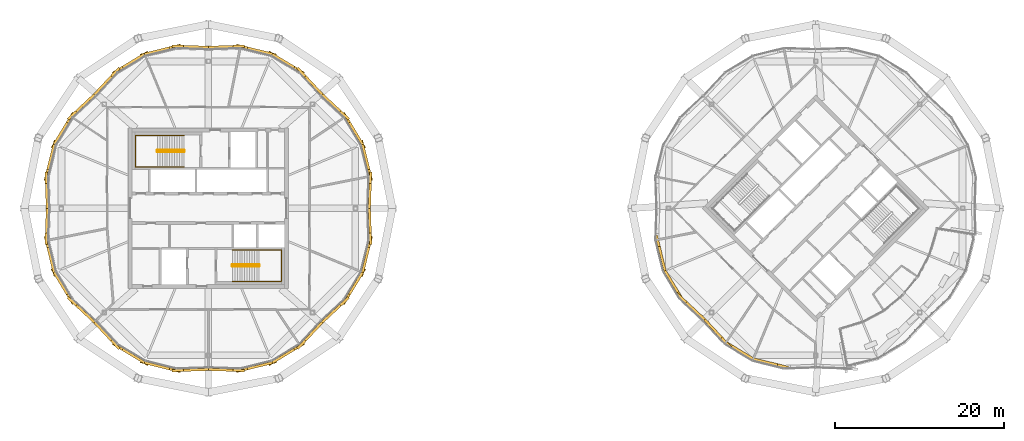
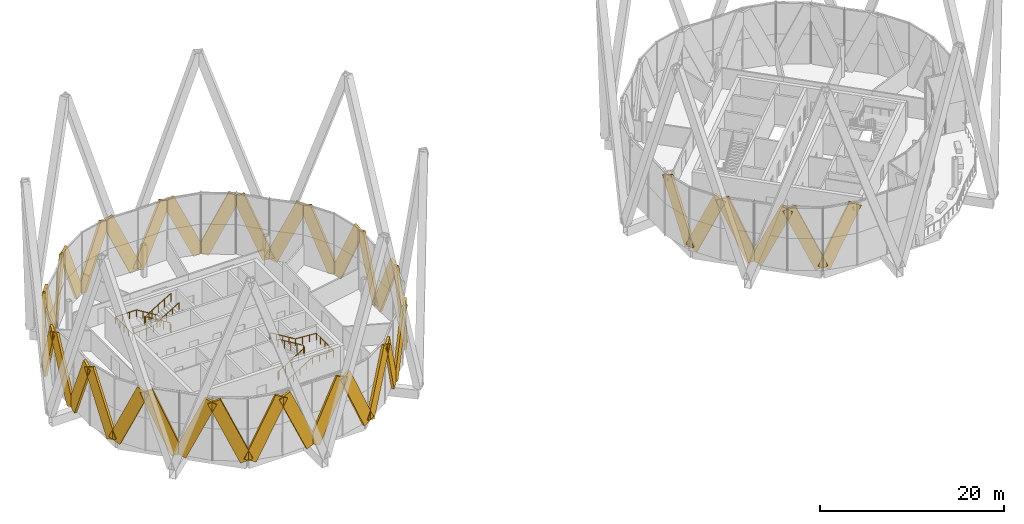
# One storey, part 36 of 38: 38 coverings, 4 railings.
"""IFC4 building model written with IfcOpenShell, lengths in metres."""

from ifc_helpers import new_model, si_unit, direction, frame, origin, origin_2d, place, context, subcontext, project, spatial, rectangle, circle, extrude, material, material_profile, profile_set, type_object, element, save


model = new_model("IFC4")

# Units and contexts
model_context = context("Model", 3, precision=1e-05, world=origin(), true_north=direction((0.0, 1.0)))
body_context = subcontext(model_context, "Body", "Model", "MODEL_VIEW")
ifc_project = project(units=[si_unit("LENGTHUNIT", "METRE"), si_unit("AREAUNIT", "SQUARE_METRE"), si_unit("VOLUMEUNIT", "CUBIC_METRE"), si_unit("PLANEANGLEUNIT", "RADIAN"), si_unit("MASSUNIT", "GRAM", prefix="KILO")], contexts=[model_context])

# Site, building, storey
site_placement = place(None, origin())
site = spatial("IfcSite", under=ifc_project, at=site_placement, CompositionType="ELEMENT")
building_placement = place(site_placement, origin())
building = spatial("IfcBuilding", under=site, at=building_placement, Name="Ogive Gate Towers", CompositionType="ELEMENT")
storey_placement = place(building_placement, frame((0.0, 0.0, 268.800048828125)))
storey = spatial("IfcBuildingStorey", under=building, at=storey_placement, Name="L63", CompositionType="ELEMENT", Elevation=268.800048828125)

# Coverings
ifc_material_1 = material(Name="Pale metal aluminium", Category="aluminium")
ifc_material_profile = material_profile(ifc_material_1, rectangle(XDim=0.300048828125, YDim=1.5, at=origin_2d()), Name="1500 x 300 pale metal aluminium")
ifc_profile_set = profile_set([ifc_material_profile], Name="Pale metal aluminium")
covering_type = type_object("IfcCoveringType", Name="Facade fin 1500 x 300", PredefinedType="CLADDING", material=ifc_profile_set)
covering_1_placement = place(storey_placement, frame((-16.9052734375, 0.1298828125, -0.04296875), z_axis=(0.014132103732, 0.409230250787, 0.912321700654), x_axis=(-0.999404255625, 0.03451280687, 0.0)))
element("IfcCovering", 1, at=covering_1_placement, inside=storey, type_object=covering_type, Name="Facade fin", PredefinedType="CLADDING", context=body_context, shape_type="SweptSolid", body=[
    extrude(rectangle(XDim=0.300048828125, YDim=1.5, at=origin_2d()), origin(), (0.0, 0.0, 1.0), 8.5341796875),
])
covering_2_placement = place(storey_placement, frame((-17.670654296875, 7.403076171875, -0.0390625), z_axis=(0.099478826695, -0.402713596441, 0.909904237973), x_axis=(0.970819106238, 0.239812974967, 0.0)))
element("IfcCovering", 2, at=covering_2_placement, inside=storey, type_object=covering_type, Name="Facade fin", PredefinedType="CLADDING", context=body_context, shape_type="SweptSolid", body=[
    extrude(rectangle(XDim=0.300048828125, YDim=1.5, at=origin_2d()), origin(), (0.0, 0.0, 1.0), 8.5478515625),
])
covering_3_placement = place(storey_placement, frame((-17.80419921875, 7.72607421875, -0.0390625), z_axis=(-0.214437127, 0.355100799146, 0.909901171012), x_axis=(-0.856025355969, -0.516933835165, 0.0)))
element("IfcCovering", 3, at=covering_3_placement, inside=storey, type_object=covering_type, Name="Facade fin", PredefinedType="CLADDING", context=body_context, shape_type="SweptSolid", body=[
    extrude(rectangle(XDim=0.300048828125, YDim=1.5, at=origin_2d()), origin(), (0.0, 0.0, 1.0), 8.548095703125),
])
for number, where, z_axis, x_axis, name in (
    (4, (-22.40625, 13.41015625, -0.04296875), (0.299378148012, -0.279352853831, 0.912323795343), (0.682231121779, 0.731136578538, 0.0), "Facade fin"),
    (5, (-22.58984375, 13.59375, -0.04296875), (-0.279352853831, 0.299378148012, 0.912323795343), (-0.731136578538, -0.682231121779, 0.0), "Facade fin"),
):
    element("IfcCovering", number, at=place(storey_placement, frame(where, z_axis=z_axis, x_axis=x_axis)), inside=storey, type_object=covering_type, Name=name, PredefinedType="CLADDING", context=body_context, shape_type="SweptSolid", body=[
        extrude(rectangle(XDim=0.300048828125, YDim=1.5, at=origin_2d()), origin(), (0.0, 0.0, 1.0), 8.5341796875),
    ])
covering_4_placement = place(storey_placement, frame((-28.27392578125, 18.19580078125, -0.0390625), z_axis=(0.355100799146, -0.214437127, 0.909901171012), x_axis=(0.516933835165, 0.856025355969, 0.0)))
element("IfcCovering", 6, at=covering_4_placement, inside=storey, type_object=covering_type, Name="Facade fin", PredefinedType="CLADDING", context=body_context, shape_type="SweptSolid", body=[
    extrude(rectangle(XDim=0.300048828125, YDim=1.5, at=origin_2d()), origin(), (0.0, 0.0, 1.0), 8.548095703125),
])
covering_5_placement = place(storey_placement, frame((-28.596923828125, 18.329345703125, -0.0390625), z_axis=(-0.402713596441, 0.099478826695, 0.909904237973), x_axis=(-0.239812974967, -0.970819106238, 0.0)))
element("IfcCovering", 7, at=covering_5_placement, inside=storey, type_object=covering_type, Name="Facade fin", PredefinedType="CLADDING", context=body_context, shape_type="SweptSolid", body=[
    extrude(rectangle(XDim=0.300048828125, YDim=1.5, at=origin_2d()), origin(), (0.0, 0.0, 1.0), 8.5478515625),
])
for number, where, z_axis, x_axis, name in (
    (8, (-35.8701171875, 19.0947265625, -0.04296875), (0.409230250787, 0.014132103732, 0.912321700654), (-0.03451280687, 0.999404255625, 0.0), "Facade fin"),
    (9, (-36.1298828125, 19.0947265625, -0.04296875), (-0.409230250787, 0.014132103732, 0.912321700654), (-0.03451280687, -0.999404255625, 0.0), "Facade fin"),
):
    element("IfcCovering", number, at=place(storey_placement, frame(where, z_axis=z_axis, x_axis=x_axis)), inside=storey, type_object=covering_type, Name=name, PredefinedType="CLADDING", context=body_context, shape_type="SweptSolid", body=[
        extrude(rectangle(XDim=0.300048828125, YDim=1.5, at=origin_2d()), origin(), (0.0, 0.0, 1.0), 8.5341796875),
    ])
covering_6_placement = place(storey_placement, frame((-43.403076171875, 18.329345703125, -0.0390625), z_axis=(0.402713596441, 0.099478826695, 0.909904237973), x_axis=(-0.239812974967, 0.970819106238, 0.0)))
element("IfcCovering", 10, at=covering_6_placement, inside=storey, type_object=covering_type, Name="Facade fin", PredefinedType="CLADDING", context=body_context, shape_type="SweptSolid", body=[
    extrude(rectangle(XDim=0.300048828125, YDim=1.5, at=origin_2d()), origin(), (0.0, 0.0, 1.0), 8.5478515625),
])
covering_7_placement = place(storey_placement, frame((-43.72607421875, 18.19580078125, -0.0390625), z_axis=(-0.355100799146, -0.214437127, 0.909901171012), x_axis=(0.516933835165, -0.856025355969, 0.0)))
element("IfcCovering", 11, at=covering_7_placement, inside=storey, type_object=covering_type, Name="Facade fin", PredefinedType="CLADDING", context=body_context, shape_type="SweptSolid", body=[
    extrude(rectangle(XDim=0.300048828125, YDim=1.5, at=origin_2d()), origin(), (0.0, 0.0, 1.0), 8.548095703125),
])
for number, where, z_axis, x_axis, name in (
    (12, (-49.41015625, 13.59375, -0.04296875), (0.279352853831, 0.299378148012, 0.912323795343), (-0.731136578538, 0.682231121779, 0.0), "Facade fin"),
    (13, (-49.59375, 13.41015625, -0.04296875), (-0.299378148012, -0.279352853831, 0.912323795343), (0.682231121779, -0.731136578538, 0.0), "Facade fin"),
):
    element("IfcCovering", number, at=place(storey_placement, frame(where, z_axis=z_axis, x_axis=x_axis)), inside=storey, type_object=covering_type, Name=name, PredefinedType="CLADDING", context=body_context, shape_type="SweptSolid", body=[
        extrude(rectangle(XDim=0.300048828125, YDim=1.5, at=origin_2d()), origin(), (0.0, 0.0, 1.0), 8.5341796875),
    ])
covering_8_placement = place(storey_placement, frame((-54.19580078125, 7.72607421875, -0.0390625), z_axis=(0.214437127, 0.355100799146, 0.909901171012), x_axis=(-0.856025355969, 0.516933835165, 0.0)))
element("IfcCovering", 14, at=covering_8_placement, inside=storey, type_object=covering_type, Name="Facade fin", PredefinedType="CLADDING", context=body_context, shape_type="SweptSolid", body=[
    extrude(rectangle(XDim=0.300048828125, YDim=1.5, at=origin_2d()), origin(), (0.0, 0.0, 1.0), 8.548095703125),
])
covering_9_placement = place(storey_placement, frame((-54.329345703125, 7.403076171875, -0.0390625), z_axis=(-0.099478826695, -0.402713596441, 0.909904237973), x_axis=(0.970819106238, -0.239812974967, 0.0)))
element("IfcCovering", 15, at=covering_9_placement, inside=storey, type_object=covering_type, Name="Facade fin", PredefinedType="CLADDING", context=body_context, shape_type="SweptSolid", body=[
    extrude(rectangle(XDim=0.300048828125, YDim=1.5, at=origin_2d()), origin(), (0.0, 0.0, 1.0), 8.5478515625),
])
for number, where, z_axis, x_axis, name in (
    (16, (-55.0947265625, 0.1298828125, -0.04296875), (-0.014132103732, 0.409230250787, 0.912321700654), (-0.999404255625, -0.03451280687, 0.0), "Facade fin"),
    (17, (-55.0947265625, -0.1298828125, -0.04296875), (-0.014132103732, -0.409230250787, 0.912321700654), (0.999404255625, -0.03451280687, 0.0), "Facade fin"),
):
    element("IfcCovering", number, at=place(storey_placement, frame(where, z_axis=z_axis, x_axis=x_axis)), inside=storey, type_object=covering_type, Name=name, PredefinedType="CLADDING", context=body_context, shape_type="SweptSolid", body=[
        extrude(rectangle(XDim=0.300048828125, YDim=1.5, at=origin_2d()), origin(), (0.0, 0.0, 1.0), 8.5341796875),
    ])
covering_10_placement = place(storey_placement, frame((-54.329345703125, -7.403076171875, -0.0390625), z_axis=(-0.099478826695, 0.402713596441, 0.909904237973), x_axis=(-0.970819106238, -0.239812974967, 0.0)))
element("IfcCovering", 18, at=covering_10_placement, inside=storey, type_object=covering_type, Name="Facade fin", PredefinedType="CLADDING", context=body_context, shape_type="SweptSolid", body=[
    extrude(rectangle(XDim=0.300048828125, YDim=1.5, at=origin_2d()), origin(), (0.0, 0.0, 1.0), 8.5478515625),
])
covering_11_placement = place(storey_placement, frame((-54.19580078125, -7.72607421875, -0.0390625), z_axis=(0.214437127, -0.355100799146, 0.909901171012), x_axis=(0.856025355969, 0.516933835165, 0.0)))
element("IfcCovering", 19, at=covering_11_placement, inside=storey, type_object=covering_type, Name="Facade fin", PredefinedType="CLADDING", context=body_context, shape_type="SweptSolid", body=[
    extrude(rectangle(XDim=0.300048828125, YDim=1.5, at=origin_2d()), origin(), (0.0, 0.0, 1.0), 8.548095703125),
])
for number, where, z_axis, x_axis, name in (
    (20, (-49.59375, -13.41015625, -0.04296875), (-0.299378148012, 0.279352853831, 0.912323795343), (-0.682231121779, -0.731136578538, 0.0), "Facade fin"),
    (21, (-49.41015625, -13.59375, -0.04296875), (0.279352853831, -0.299378148012, 0.912323795343), (0.731136578538, 0.682231121779, 0.0), "Facade fin"),
):
    element("IfcCovering", number, at=place(storey_placement, frame(where, z_axis=z_axis, x_axis=x_axis)), inside=storey, type_object=covering_type, Name=name, PredefinedType="CLADDING", context=body_context, shape_type="SweptSolid", body=[
        extrude(rectangle(XDim=0.300048828125, YDim=1.5, at=origin_2d()), origin(), (0.0, 0.0, 1.0), 8.5341796875),
    ])
covering_12_placement = place(storey_placement, frame((-43.72607421875, -18.19580078125, -0.0390625), z_axis=(-0.355100799146, 0.214437127, 0.909901171012), x_axis=(-0.516933835165, -0.856025355969, 0.0)))
element("IfcCovering", 22, at=covering_12_placement, inside=storey, type_object=covering_type, Name="Facade fin", PredefinedType="CLADDING", context=body_context, shape_type="SweptSolid", body=[
    extrude(rectangle(XDim=0.300048828125, YDim=1.5, at=origin_2d()), origin(), (0.0, 0.0, 1.0), 8.548095703125),
])
covering_13_placement = place(storey_placement, frame((-43.403076171875, -18.329345703125, -0.0390625), z_axis=(0.402713596441, -0.099478826695, 0.909904237973), x_axis=(0.239812974967, 0.970819106238, 0.0)))
element("IfcCovering", 23, at=covering_13_placement, inside=storey, type_object=covering_type, Name="Facade fin", PredefinedType="CLADDING", context=body_context, shape_type="SweptSolid", body=[
    extrude(rectangle(XDim=0.300048828125, YDim=1.5, at=origin_2d()), origin(), (0.0, 0.0, 1.0), 8.5478515625),
])
for number, where, z_axis, x_axis, name in (
    (24, (-36.1298828125, -19.0947265625, -0.04296875), (-0.409230250787, -0.014132103732, 0.912321700654), (0.03451280687, -0.999404255625, 0.0), "Facade fin"),
    (25, (-35.8701171875, -19.0947265625, -0.04296875), (0.409230250787, -0.014132103732, 0.912321700654), (0.03451280687, 0.999404255625, 0.0), "Facade fin"),
):
    element("IfcCovering", number, at=place(storey_placement, frame(where, z_axis=z_axis, x_axis=x_axis)), inside=storey, type_object=covering_type, Name=name, PredefinedType="CLADDING", context=body_context, shape_type="SweptSolid", body=[
        extrude(rectangle(XDim=0.300048828125, YDim=1.5, at=origin_2d()), origin(), (0.0, 0.0, 1.0), 8.5341796875),
    ])
covering_14_placement = place(storey_placement, frame((-28.596923828125, -18.329345703125, -0.0390625), z_axis=(-0.402713596441, -0.099478826695, 0.909904237973), x_axis=(0.239812974967, -0.970819106238, 0.0)))
element("IfcCovering", 26, at=covering_14_placement, inside=storey, type_object=covering_type, Name="Facade fin", PredefinedType="CLADDING", context=body_context, shape_type="SweptSolid", body=[
    extrude(rectangle(XDim=0.300048828125, YDim=1.5, at=origin_2d()), origin(), (0.0, 0.0, 1.0), 8.5478515625),
])
covering_15_placement = place(storey_placement, frame((-28.27392578125, -18.19580078125, -0.0390625), z_axis=(0.355100799146, 0.214437127, 0.909901171012), x_axis=(-0.516933835165, 0.856025355969, 0.0)))
element("IfcCovering", 27, at=covering_15_placement, inside=storey, type_object=covering_type, Name="Facade fin", PredefinedType="CLADDING", context=body_context, shape_type="SweptSolid", body=[
    extrude(rectangle(XDim=0.300048828125, YDim=1.5, at=origin_2d()), origin(), (0.0, 0.0, 1.0), 8.548095703125),
])
for number, where, z_axis, x_axis, name in (
    (28, (-22.58984375, -13.59375, -0.04296875), (-0.279352853831, -0.299378148012, 0.912323795343), (0.731136578538, -0.682231121779, 0.0), "Facade fin"),
    (29, (-22.40625, -13.41015625, -0.04296875), (0.299378148012, 0.279352853831, 0.912323795343), (-0.682231121779, 0.731136578538, 0.0), "Facade fin"),
):
    element("IfcCovering", number, at=place(storey_placement, frame(where, z_axis=z_axis, x_axis=x_axis)), inside=storey, type_object=covering_type, Name=name, PredefinedType="CLADDING", context=body_context, shape_type="SweptSolid", body=[
        extrude(rectangle(XDim=0.300048828125, YDim=1.5, at=origin_2d()), origin(), (0.0, 0.0, 1.0), 8.5341796875),
    ])
covering_16_placement = place(storey_placement, frame((-17.80419921875, -7.72607421875, -0.0390625), z_axis=(-0.214437127, -0.355100799146, 0.909901171012), x_axis=(0.856025355969, -0.516933835165, 0.0)))
element("IfcCovering", 30, at=covering_16_placement, inside=storey, type_object=covering_type, Name="Facade fin", PredefinedType="CLADDING", context=body_context, shape_type="SweptSolid", body=[
    extrude(rectangle(XDim=0.300048828125, YDim=1.5, at=origin_2d()), origin(), (0.0, 0.0, 1.0), 8.548095703125),
])
covering_17_placement = place(storey_placement, frame((-17.670654296875, -7.403076171875, -0.0390625), z_axis=(0.099478826695, 0.402713596441, 0.909904237973), x_axis=(-0.970819106238, 0.239812974967, 0.0)))
element("IfcCovering", 31, at=covering_17_placement, inside=storey, type_object=covering_type, Name="Facade fin", PredefinedType="CLADDING", context=body_context, shape_type="SweptSolid", body=[
    extrude(rectangle(XDim=0.300048828125, YDim=1.5, at=origin_2d()), origin(), (0.0, 0.0, 1.0), 8.5478515625),
])
for number, where, z_axis, x_axis, name in (
    (32, (-16.9052734375, -0.1298828125, -0.04296875), (0.014132103732, -0.409230250787, 0.912321700654), (0.999404255625, 0.03451280687, 0.0), "Facade fin"),
    (33, (22.719970703125, -13.073974609375, -0.04296875), (-0.299349711694, 0.279381621216, 0.912324317244), (-0.682303314669, -0.731069207936, 0.0), "Facade fin"),
):
    element("IfcCovering", number, at=place(storey_placement, frame(where, z_axis=z_axis, x_axis=x_axis)), inside=storey, type_object=covering_type, Name=name, PredefinedType="CLADDING", context=body_context, shape_type="SweptSolid", body=[
        extrude(rectangle(XDim=0.300048828125, YDim=1.5, at=origin_2d()), origin(), (0.0, 0.0, 1.0), 8.5341796875),
    ])
covering_18_placement = place(storey_placement, frame((18.197998046875, -7.48828125, -0.0390625), z_axis=(0.214437127, -0.355100799146, 0.909901171012), x_axis=(0.856025355969, 0.516933835165, 0.0)))
element("IfcCovering", 34, at=covering_18_placement, inside=storey, type_object=covering_type, Name="Facade fin", PredefinedType="CLADDING", context=body_context, shape_type="SweptSolid", body=[
    extrude(rectangle(XDim=0.300048828125, YDim=1.5, at=origin_2d()), origin(), (0.0, 0.0, 1.0), 8.548095703125),
])
for number, where, z_axis, x_axis, name in (
    (35, (18.1171875, -7.29296875, -0.0390625), (-0.09945054797, 0.402714740487, 0.909906822869), (-0.970835134211, -0.239748080661, 0.0), "Facade fin"),
    (36, (28.70703125, -17.8828125, -0.0390625), (0.402714740487, -0.09945054797, 0.909906822869), (0.239748080661, 0.970835134211, 0.0), "Facade fin"),
):
    element("IfcCovering", number, at=place(storey_placement, frame(where, z_axis=z_axis, x_axis=x_axis)), inside=storey, type_object=covering_type, Name=name, PredefinedType="CLADDING", context=body_context, shape_type="SweptSolid", body=[
        extrude(rectangle(XDim=0.300048828125, YDim=1.5, at=origin_2d()), origin(), (0.0, 0.0, 1.0), 8.5478515625),
    ])
covering_19_placement = place(storey_placement, frame((28.51171875, -17.802001953125, -0.0390625), z_axis=(-0.355100799146, 0.214437127, 0.909901171012), x_axis=(-0.516933835165, -0.856025355969, 0.0)))
element("IfcCovering", 37, at=covering_19_placement, inside=storey, type_object=covering_type, Name="Facade fin", PredefinedType="CLADDING", context=body_context, shape_type="SweptSolid", body=[
    extrude(rectangle(XDim=0.300048828125, YDim=1.5, at=origin_2d()), origin(), (0.0, 0.0, 1.0), 8.548095703125),
])
covering_20_placement = place(storey_placement, frame((22.926025390625, -13.280029296875, -0.04296875), z_axis=(0.279381621216, -0.299349711694, 0.912324317244), x_axis=(0.731069207936, 0.682303314669, 0.0)))
element("IfcCovering", 38, at=covering_20_placement, inside=storey, type_object=covering_type, Name="Facade fin", PredefinedType="CLADDING", context=body_context, shape_type="SweptSolid", body=[
    extrude(rectangle(XDim=0.300048828125, YDim=1.5, at=origin_2d()), origin(), (0.0, 0.0, 1.0), 8.5341796875),
])

# Railings
ifc_material_2 = material(Name="Stainless steel", Category="steel")
railing_type_1 = type_object("IfcRailingType", Name="Stair guard 1100", PredefinedType="GUARDRAIL", material=ifc_material_2)
railing_1_placement = place(storey_placement, frame((-38.81494140625, 6.860107421875, 0.0)))
element("IfcRailing", 39, at=railing_1_placement, inside=storey, type_object=railing_type_1, Name="L63 ST1 stair guard 1", PredefinedType="GUARDRAIL", context=body_context, shape_type="SweptSolid", body=[
    extrude(circle(Radius=0.02392578125, at=origin_2d()), frame((0.0, 0.0, 1.076171875), z_axis=(0.0, -1.0, 0.0), x_axis=(1.0, 0.0, 0.0)), (0.0, 0.0, 1.0), 0.14501953125),
    extrude(circle(Radius=0.02392578125, at=origin_2d()), frame((0.0, -0.14501953125, 1.076171875), z_axis=(-0.187693211448, 0.730630159683, 0.656468451746), x_axis=(-0.968551454522, -0.24881334358, 0.0)), (0.0, 0.0, 1.0), 0.2666015625),
    extrude(circle(Radius=0.02392578125, at=origin_2d()), frame((-0.050048828125, 0.0498046875, 1.2509765625), z_axis=(-0.854229115434, 0.0, 0.519896738156), x_axis=(0.0, -1.0, 0.0)), (0.0, 0.0, 1.0), 3.702392578125),
    extrude(circle(Radius=0.02392578125, at=origin_2d()), frame((-3.212646484375, 0.0498046875, 3.17578125), z_axis=(-0.707106781187, -0.707106781187, 0.0), x_axis=(0.707106781187, -0.707106781187, 0.0)), (0.0, 0.0, 1.0), 0.0703125),
    extrude(circle(Radius=0.02392578125, at=origin_2d()), frame((-3.262451171875, 0.0, 3.17578125), z_axis=(0.0, -1.0, 0.0), x_axis=(1.0, 0.0, 0.0)), (0.0, 0.0, 1.0), 0.14501953125),
    extrude(circle(Radius=0.02392578125, at=origin_2d()), frame((-3.262451171875, -0.14501953125, 3.17578125), z_axis=(0.263862480399, -0.265155923931, 0.927399011991), x_axis=(0.708833529934, 0.705375805398, 0.0)), (0.0, 0.0, 1.0), 0.188720703125),
    extrude(circle(Radius=0.02392578125, at=origin_2d()), frame((-3.212646484375, -0.195068359375, 3.35107421875), z_axis=(0.854199828955, 0.0, 0.519944854973), x_axis=(0.0, 1.0, 0.0)), (0.0, 0.0, 1.0), 3.702392578125),
    extrude(circle(Radius=0.02099609375, at=origin_2d()), origin(), (0.0, 0.0, 1.0), 1.052001953125),
    extrude(circle(Radius=0.02099609375, at=origin_2d()), frame((0.0, -0.14501953125, 0.0)), (0.0, 0.0, 1.0), 1.052001953125),
    extrude(circle(Radius=0.02099609375, at=origin_2d()), frame((-0.050048828125, 0.0498046875, 0.175048828125)), (0.0, 0.0, 1.0), 1.052001953125),
    extrude(circle(Radius=0.02099609375, at=origin_2d()), frame((-0.8408203125, 0.0498046875, 0.65625)), (0.0, 0.0, 1.0), 1.052001953125),
    extrude(circle(Radius=0.02099609375, at=origin_2d()), frame((-1.63134765625, 0.0498046875, 1.137451171875)), (0.0, 0.0, 1.0), 1.052001953125),
    extrude(circle(Radius=0.02099609375, at=origin_2d()), frame((-2.421875, 0.0498046875, 1.61865234375)), (0.0, 0.0, 1.0), 1.052001953125),
    extrude(circle(Radius=0.02099609375, at=origin_2d()), frame((-3.212646484375, 0.0498046875, 2.099853515625)), (0.0, 0.0, 1.0), 1.052001953125),
    extrude(circle(Radius=0.02099609375, at=origin_2d()), frame((-3.262451171875, 0.0, 2.099853515625)), (0.0, 0.0, 1.0), 1.052001953125),
    extrude(circle(Radius=0.02099609375, at=origin_2d()), frame((-3.262451171875, -0.14501953125, 2.099853515625)), (0.0, 0.0, 1.0), 1.052001953125),
    extrude(circle(Radius=0.02099609375, at=origin_2d()), frame((-3.212646484375, -0.195068359375, 2.27490234375)), (0.0, 0.0, 1.0), 1.052001953125),
    extrude(circle(Radius=0.02099609375, at=origin_2d()), frame((-2.421875, -0.195068359375, 2.756103515625)), (0.0, 0.0, 1.0), 1.052001953125),
    extrude(circle(Radius=0.02099609375, at=origin_2d()), frame((-1.63134765625, -0.195068359375, 3.2373046875)), (0.0, 0.0, 1.0), 1.052001953125),
    extrude(circle(Radius=0.02099609375, at=origin_2d()), frame((-0.8408203125, -0.195068359375, 3.71875)), (0.0, 0.0, 1.0), 1.052001953125),
    extrude(circle(Radius=0.02099609375, at=origin_2d()), frame((-0.050048828125, -0.195068359375, 4.199951171875)), (0.0, 0.0, 1.0), 1.052001953125),
])
railing_2_placement = place(storey_placement, frame((-33.18505859375, -6.860107421875, 0.0)))
element("IfcRailing", 40, at=railing_2_placement, inside=storey, type_object=railing_type_1, Name="L63 ST2 stair guard 1", PredefinedType="GUARDRAIL", context=body_context, shape_type="SweptSolid", body=[
    extrude(circle(Radius=0.02392578125, at=origin_2d()), frame((0.0, 0.0, 1.076171875), z_axis=(0.0, 1.0, 0.0), x_axis=(-1.0, 0.0, 0.0)), (0.0, 0.0, 1.0), 0.14501953125),
    extrude(circle(Radius=0.02392578125, at=origin_2d()), frame((0.0, 0.14501953125, 1.076171875), z_axis=(0.187693211448, -0.730630159683, 0.656468451746), x_axis=(0.968551454522, 0.24881334358, 0.0)), (0.0, 0.0, 1.0), 0.2666015625),
    extrude(circle(Radius=0.02392578125, at=origin_2d()), frame((0.050048828125, -0.0498046875, 1.2509765625), z_axis=(0.854229115434, 0.0, 0.519896738156), x_axis=(0.0, 1.0, 0.0)), (0.0, 0.0, 1.0), 3.702392578125),
    extrude(circle(Radius=0.02392578125, at=origin_2d()), frame((3.212646484375, -0.0498046875, 3.17578125), z_axis=(0.707106781187, 0.707106781187, 0.0), x_axis=(-0.707106781187, 0.707106781187, 0.0)), (0.0, 0.0, 1.0), 0.0703125),
    extrude(circle(Radius=0.02392578125, at=origin_2d()), frame((3.262451171875, 0.0, 3.17578125), z_axis=(0.0, 1.0, 0.0), x_axis=(-1.0, 0.0, 0.0)), (0.0, 0.0, 1.0), 0.14501953125),
    extrude(circle(Radius=0.02392578125, at=origin_2d()), frame((3.262451171875, 0.14501953125, 3.17578125), z_axis=(-0.263862480399, 0.265155923931, 0.927399011991), x_axis=(-0.708833529934, -0.705375805398, 0.0)), (0.0, 0.0, 1.0), 0.188720703125),
    extrude(circle(Radius=0.02392578125, at=origin_2d()), frame((3.212646484375, 0.195068359375, 3.35107421875), z_axis=(-0.854199828955, 0.0, 0.519944854973), x_axis=(0.0, -1.0, 0.0)), (0.0, 0.0, 1.0), 3.702392578125),
    extrude(circle(Radius=0.02099609375, at=origin_2d()), origin(), (0.0, 0.0, 1.0), 1.052001953125),
    extrude(circle(Radius=0.02099609375, at=origin_2d()), frame((0.0, 0.14501953125, 0.0)), (0.0, 0.0, 1.0), 1.052001953125),
    extrude(circle(Radius=0.02099609375, at=origin_2d()), frame((0.050048828125, -0.0498046875, 0.175048828125)), (0.0, 0.0, 1.0), 1.052001953125),
    extrude(circle(Radius=0.02099609375, at=origin_2d()), frame((0.8408203125, -0.0498046875, 0.65625)), (0.0, 0.0, 1.0), 1.052001953125),
    extrude(circle(Radius=0.02099609375, at=origin_2d()), frame((1.63134765625, -0.0498046875, 1.137451171875)), (0.0, 0.0, 1.0), 1.052001953125),
    extrude(circle(Radius=0.02099609375, at=origin_2d()), frame((2.421875, -0.0498046875, 1.61865234375)), (0.0, 0.0, 1.0), 1.052001953125),
    extrude(circle(Radius=0.02099609375, at=origin_2d()), frame((3.212646484375, -0.0498046875, 2.099853515625)), (0.0, 0.0, 1.0), 1.052001953125),
    extrude(circle(Radius=0.02099609375, at=origin_2d()), frame((3.262451171875, 0.0, 2.099853515625)), (0.0, 0.0, 1.0), 1.052001953125),
    extrude(circle(Radius=0.02099609375, at=origin_2d()), frame((3.262451171875, 0.14501953125, 2.099853515625)), (0.0, 0.0, 1.0), 1.052001953125),
    extrude(circle(Radius=0.02099609375, at=origin_2d()), frame((3.212646484375, 0.195068359375, 2.27490234375)), (0.0, 0.0, 1.0), 1.052001953125),
    extrude(circle(Radius=0.02099609375, at=origin_2d()), frame((2.421875, 0.195068359375, 2.756103515625)), (0.0, 0.0, 1.0), 1.052001953125),
    extrude(circle(Radius=0.02099609375, at=origin_2d()), frame((1.63134765625, 0.195068359375, 3.2373046875)), (0.0, 0.0, 1.0), 1.052001953125),
    extrude(circle(Radius=0.02099609375, at=origin_2d()), frame((0.8408203125, 0.195068359375, 3.71875)), (0.0, 0.0, 1.0), 1.052001953125),
    extrude(circle(Radius=0.02099609375, at=origin_2d()), frame((0.050048828125, 0.195068359375, 4.199951171875)), (0.0, 0.0, 1.0), 1.052001953125),
])
railing_type_2 = type_object("IfcRailingType", Name="Stair handrail 900", PredefinedType="HANDRAIL", material=ifc_material_2)
railing_3_placement = place(storey_placement, frame((-38.864990234375, 8.64990234375, 0.175048828125)))
element("IfcRailing", 41, at=railing_3_placement, inside=storey, type_object=railing_type_2, Name="L63 ST1 stair handrail 1", PredefinedType="HANDRAIL", context=body_context, shape_type="SweptSolid", body=[
    extrude(circle(Radius=0.02392578125, at=origin_2d()), frame((0.0, 0.0, 0.8759765625), z_axis=(-0.854229115434, 0.0, 0.519896738156), x_axis=(0.0, -1.0, 0.0)), (0.0, 0.0, 1.0), 3.702392578125),
    extrude(circle(Radius=0.02392578125, at=origin_2d()), frame((-3.16259765625, 0.0, 2.80078125), z_axis=(-1.0, 0.0, 0.0), x_axis=(0.0, -1.0, 0.0)), (0.0, 0.0, 1.0), 2.622314453125),
    extrude(circle(Radius=0.02392578125, at=origin_2d()), frame((-5.784912109375, 0.0, 2.80078125), z_axis=(0.0, -1.0, 0.0), x_axis=(1.0, 0.0, 0.0)), (0.0, 0.0, 1.0), 3.724853515625),
    extrude(circle(Radius=0.02392578125, at=origin_2d()), frame((-5.784912109375, -3.724853515625, 2.80078125), z_axis=(0.997779399599, 0.0, 0.066605328136), x_axis=(0.0, 1.0, 0.0)), (0.0, 0.0, 1.0), 2.628173828125),
    extrude(circle(Radius=0.02392578125, at=origin_2d()), frame((-3.16259765625, -3.724853515625, 2.9755859375), z_axis=(0.854199828955, 0.0, 0.519944854973), x_axis=(0.0, 1.0, 0.0)), (0.0, 0.0, 1.0), 3.702392578125),
    extrude(circle(Radius=0.02099609375, at=origin_2d()), origin(), (0.0, 0.0, 1.0), 0.851806640625),
    extrude(circle(Radius=0.02099609375, at=origin_2d()), frame((-0.79052734375, 0.0, 0.481201171875)), (0.0, 0.0, 1.0), 0.851806640625),
    extrude(circle(Radius=0.02099609375, at=origin_2d()), frame((-1.581298828125, 0.0, 0.96240234375)), (0.0, 0.0, 1.0), 0.851806640625),
    extrude(circle(Radius=0.02099609375, at=origin_2d()), frame((-2.3720703125, 0.0, 1.443603515625)), (0.0, 0.0, 1.0), 0.851806640625),
    extrude(circle(Radius=0.02099609375, at=origin_2d()), frame((-3.16259765625, 0.0, 1.9248046875)), (0.0, 0.0, 1.0), 0.851806640625),
    extrude(circle(Radius=0.02099609375, at=origin_2d()), frame((-4.03662109375, 0.0, 1.9248046875)), (0.0, 0.0, 1.0), 0.851806640625),
    extrude(circle(Radius=0.02099609375, at=origin_2d()), frame((-4.910888671875, 0.0, 1.9248046875)), (0.0, 0.0, 1.0), 0.851806640625),
    extrude(circle(Radius=0.02099609375, at=origin_2d()), frame((-5.784912109375, 0.0, 1.9248046875)), (0.0, 0.0, 1.0), 0.851806640625),
    extrude(circle(Radius=0.02099609375, at=origin_2d()), frame((-5.784912109375, -0.93115234375, 1.9248046875)), (0.0, 0.0, 1.0), 0.851806640625),
    extrude(circle(Radius=0.02099609375, at=origin_2d()), frame((-5.784912109375, -1.8623046875, 1.9248046875)), (0.0, 0.0, 1.0), 0.851806640625),
    extrude(circle(Radius=0.02099609375, at=origin_2d()), frame((-5.784912109375, -2.793701171875, 1.9248046875)), (0.0, 0.0, 1.0), 0.851806640625),
    extrude(circle(Radius=0.02099609375, at=origin_2d()), frame((-5.784912109375, -3.724853515625, 1.9248046875)), (0.0, 0.0, 1.0), 0.851806640625),
    extrude(circle(Radius=0.02099609375, at=origin_2d()), frame((-4.910888671875, -3.724853515625, 1.983154296875)), (0.0, 0.0, 1.0), 0.851806640625),
    extrude(circle(Radius=0.02099609375, at=origin_2d()), frame((-4.03662109375, -3.724853515625, 2.04150390625)), (0.0, 0.0, 1.0), 0.851806640625),
    extrude(circle(Radius=0.02099609375, at=origin_2d()), frame((-3.16259765625, -3.724853515625, 2.099853515625)), (0.0, 0.0, 1.0), 0.851806640625),
    extrude(circle(Radius=0.02099609375, at=origin_2d()), frame((-2.3720703125, -3.724853515625, 2.5810546875)), (0.0, 0.0, 1.0), 0.851806640625),
    extrude(circle(Radius=0.02099609375, at=origin_2d()), frame((-1.581298828125, -3.724853515625, 3.0625)), (0.0, 0.0, 1.0), 0.851806640625),
    extrude(circle(Radius=0.02099609375, at=origin_2d()), frame((-0.79052734375, -3.724853515625, 3.543701171875)), (0.0, 0.0, 1.0), 0.851806640625),
    extrude(circle(Radius=0.02099609375, at=origin_2d()), frame((0.0, -3.724853515625, 4.02490234375)), (0.0, 0.0, 1.0), 0.851806640625),
])
railing_4_placement = place(storey_placement, frame((-33.135009765625, -8.64990234375, 0.175048828125)))
element("IfcRailing", 42, at=railing_4_placement, inside=storey, type_object=railing_type_2, Name="L63 ST2 stair handrail 1", PredefinedType="HANDRAIL", context=body_context, shape_type="SweptSolid", body=[
    extrude(circle(Radius=0.02392578125, at=origin_2d()), frame((0.0, 0.0, 0.8759765625), z_axis=(0.854229115434, 0.0, 0.519896738156), x_axis=(0.0, 1.0, 0.0)), (0.0, 0.0, 1.0), 3.702392578125),
    extrude(circle(Radius=0.02392578125, at=origin_2d()), frame((3.16259765625, 0.0, 2.80078125), z_axis=(1.0, 0.0, 0.0), x_axis=(0.0, 1.0, 0.0)), (0.0, 0.0, 1.0), 2.622314453125),
    extrude(circle(Radius=0.02392578125, at=origin_2d()), frame((5.784912109375, 0.0, 2.80078125), z_axis=(0.0, 1.0, 0.0), x_axis=(-1.0, 0.0, 0.0)), (0.0, 0.0, 1.0), 3.724853515625),
    extrude(circle(Radius=0.02392578125, at=origin_2d()), frame((5.784912109375, 3.724853515625, 2.80078125), z_axis=(-0.997779399599, 0.0, 0.066605328136), x_axis=(0.0, -1.0, 0.0)), (0.0, 0.0, 1.0), 2.628173828125),
    extrude(circle(Radius=0.02392578125, at=origin_2d()), frame((3.16259765625, 3.724853515625, 2.9755859375), z_axis=(-0.854199828955, 0.0, 0.519944854973), x_axis=(0.0, -1.0, 0.0)), (0.0, 0.0, 1.0), 3.702392578125),
    extrude(circle(Radius=0.02099609375, at=origin_2d()), origin(), (0.0, 0.0, 1.0), 0.851806640625),
    extrude(circle(Radius=0.02099609375, at=origin_2d()), frame((0.79052734375, 0.0, 0.481201171875)), (0.0, 0.0, 1.0), 0.851806640625),
    extrude(circle(Radius=0.02099609375, at=origin_2d()), frame((1.581298828125, 0.0, 0.96240234375)), (0.0, 0.0, 1.0), 0.851806640625),
    extrude(circle(Radius=0.02099609375, at=origin_2d()), frame((2.3720703125, 0.0, 1.443603515625)), (0.0, 0.0, 1.0), 0.851806640625),
    extrude(circle(Radius=0.02099609375, at=origin_2d()), frame((3.16259765625, 0.0, 1.9248046875)), (0.0, 0.0, 1.0), 0.851806640625),
    extrude(circle(Radius=0.02099609375, at=origin_2d()), frame((4.03662109375, 0.0, 1.9248046875)), (0.0, 0.0, 1.0), 0.851806640625),
    extrude(circle(Radius=0.02099609375, at=origin_2d()), frame((4.910888671875, 0.0, 1.9248046875)), (0.0, 0.0, 1.0), 0.851806640625),
    extrude(circle(Radius=0.02099609375, at=origin_2d()), frame((5.784912109375, 0.0, 1.9248046875)), (0.0, 0.0, 1.0), 0.851806640625),
    extrude(circle(Radius=0.02099609375, at=origin_2d()), frame((5.784912109375, 0.93115234375, 1.9248046875)), (0.0, 0.0, 1.0), 0.851806640625),
    extrude(circle(Radius=0.02099609375, at=origin_2d()), frame((5.784912109375, 1.8623046875, 1.9248046875)), (0.0, 0.0, 1.0), 0.851806640625),
    extrude(circle(Radius=0.02099609375, at=origin_2d()), frame((5.784912109375, 2.793701171875, 1.9248046875)), (0.0, 0.0, 1.0), 0.851806640625),
    extrude(circle(Radius=0.02099609375, at=origin_2d()), frame((5.784912109375, 3.724853515625, 1.9248046875)), (0.0, 0.0, 1.0), 0.851806640625),
    extrude(circle(Radius=0.02099609375, at=origin_2d()), frame((4.910888671875, 3.724853515625, 1.983154296875)), (0.0, 0.0, 1.0), 0.851806640625),
    extrude(circle(Radius=0.02099609375, at=origin_2d()), frame((4.03662109375, 3.724853515625, 2.04150390625)), (0.0, 0.0, 1.0), 0.851806640625),
    extrude(circle(Radius=0.02099609375, at=origin_2d()), frame((3.16259765625, 3.724853515625, 2.099853515625)), (0.0, 0.0, 1.0), 0.851806640625),
    extrude(circle(Radius=0.02099609375, at=origin_2d()), frame((2.3720703125, 3.724853515625, 2.5810546875)), (0.0, 0.0, 1.0), 0.851806640625),
    extrude(circle(Radius=0.02099609375, at=origin_2d()), frame((1.581298828125, 3.724853515625, 3.0625)), (0.0, 0.0, 1.0), 0.851806640625),
    extrude(circle(Radius=0.02099609375, at=origin_2d()), frame((0.79052734375, 3.724853515625, 3.543701171875)), (0.0, 0.0, 1.0), 0.851806640625),
    extrude(circle(Radius=0.02099609375, at=origin_2d()), frame((0.0, 3.724853515625, 4.02490234375)), (0.0, 0.0, 1.0), 0.851806640625),
])

save(model, "model.ifc")
